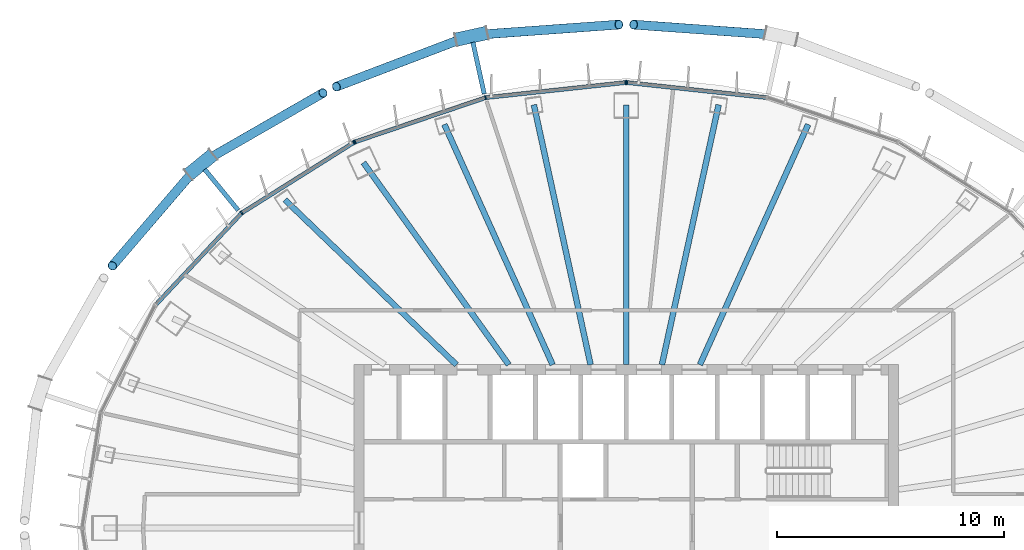
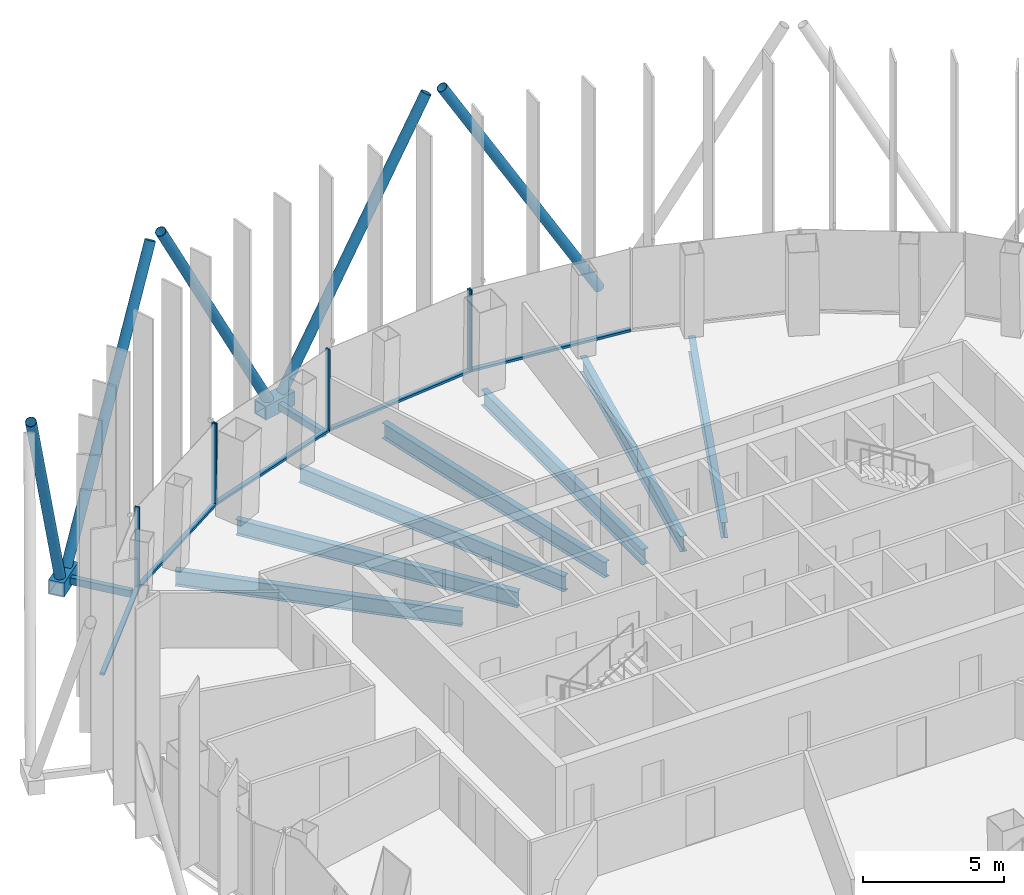
# One storey, part 6 of 18: 20 members, 7 beams, 3 elements without a shape of their own.
"""IFC4 building model written with IfcOpenShell, lengths in metres."""

import ifcopenshell
import ifcopenshell.guid

model = None  # the IFC model being written
_history = None  # IfcOwnerHistory: only IFC2X3 demands one
_inside = {}  # id of a spatial element -> (the spatial element, [elements in it])
_under = {}  # id of a project, library or spatial element -> (it, [spatial elements below it])
_declared = {}  # id of a project -> (the project, [libraries it declares])
_typed = {}  # id of a type object -> (the type object, [elements of that type])
_made_of = {}  # id of a material, layer set ... -> (it, [elements and type objects made of it])


def new_model(schema):
    """Start an empty IFC model of exactly this schema.

    Asked for "IFC4X3", IfcOpenShell would pick the latest addendum, in which some entities
    have other attributes; the version numbers below select the first issue.
    IFC2X3 requires an IfcOwnerHistory on every rooted entity: one is made here for all.
    """
    global model, _history
    if schema == "IFC4X3":
        model = ifcopenshell.file(schema_version=(4, 3, 0, 0))
    else:
        model = ifcopenshell.file(schema=schema)
    _inside.clear()
    _under.clear()
    _declared.clear()
    _typed.clear()
    _made_of.clear()
    _history = None
    if model.schema == "IFC2X3":
        org = make("IfcOrganization", Name="unknown")
        user = make(
            "IfcPersonAndOrganization",
            ThePerson=make("IfcPerson", FamilyName="unknown"),
            TheOrganization=org,
        )
        app = make(
            "IfcApplication",
            ApplicationDeveloper=org,
            Version="unknown",
            ApplicationFullName="unknown",
            ApplicationIdentifier="unknown",
        )
        _history = make(
            "IfcOwnerHistory",
            OwningUser=user,
            OwningApplication=app,
            ChangeAction="ADDED",
            CreationDate=0,
        )
    return model


def make(cls, **values):
    """One entity of the class cls with the attributes given. An attribute that is None is left unset."""
    return model.create_entity(
        cls, **{name: value for name, value in values.items() if value is not None}
    )


def rooted(cls, **values):
    """An entity with a GlobalId (a new one), such as an element, a storey or a relation."""
    return make(cls, GlobalId=ifcopenshell.guid.new(), OwnerHistory=_history, **values)


def si_unit(unit_type, name, prefix=None):
    """IfcSIUnit, for example si_unit("LENGTHUNIT", "METRE", prefix="MILLI")."""
    return make("IfcSIUnit", UnitType=unit_type, Prefix=prefix, Name=name)


def assignment(units):
    """IfcUnitAssignment: the units of a project."""
    return None if units is None else make("IfcUnitAssignment", Units=units)


def point(xyz):
    """IfcCartesianPoint."""
    return None if xyz is None else make("IfcCartesianPoint", Coordinates=xyz)


def direction(xyz):
    """IfcDirection."""
    return None if xyz is None else make("IfcDirection", DirectionRatios=xyz)


def frame(location, z_axis=None, x_axis=None):
    """IfcAxis2Placement3D, a coordinate frame: its origin and axes. An axis left out is left unset."""
    return make(
        "IfcAxis2Placement3D",
        Location=point(location),
        Axis=direction(z_axis),
        RefDirection=direction(x_axis),
    )


def frame_2d(location, x_axis=None):
    """IfcAxis2Placement2D, a coordinate frame in the plane: its origin and x axis."""
    return make(
        "IfcAxis2Placement2D", Location=point(location), RefDirection=direction(x_axis)
    )


def origin():
    """The frame at (0, 0, 0) with its axes left unset."""
    return frame((0.0, 0.0, 0.0))


def origin_2d():
    """The frame at (0, 0) in the plane with its x axis left unset."""
    return frame_2d((0.0, 0.0))


def place(relative_to, where):
    """IfcLocalPlacement: puts the frame where relative to a parent placement (None: the world)."""
    return make(
        "IfcLocalPlacement", PlacementRelTo=relative_to, RelativePlacement=where
    )


def context(
    kind, dimensions, precision=None, world=None, true_north=None, identifier=None
):
    """IfcGeometricRepresentationContext, for example the 3D "Model" context."""
    return make(
        "IfcGeometricRepresentationContext",
        ContextIdentifier=identifier,
        ContextType=kind,
        CoordinateSpaceDimension=dimensions,
        Precision=precision,
        WorldCoordinateSystem=world,
        TrueNorth=true_north,
    )


def subcontext(parent, identifier, kind, view, scale=None):
    """IfcGeometricRepresentationSubContext, for example "Body" below "Model"."""
    return make(
        "IfcGeometricRepresentationSubContext",
        ContextIdentifier=identifier,
        ContextType=kind,
        ParentContext=parent,
        TargetScale=scale,
        TargetView=view,
    )


def project(units=None, contexts=None):
    """IfcProject with its units and contexts."""
    return rooted(
        "IfcProject",
        Name="project",
        RepresentationContexts=contexts,
        UnitsInContext=assignment(units),
    )


def spatial(cls, under=None, at=None, **own):
    """A site, building, storey or space (cls), placed at a placement, below another one or the project."""
    s = rooted(cls, ObjectPlacement=at, **own)
    if under is not None:
        _under.setdefault(under.id(), (under, []))[1].append(s)
    return s


def profile(cls, at=None, kind="AREA", **sizes):
    """A parametric profile (cls). Its sizes go by their IFC names, for example OverallWidth=200.0."""
    return make(cls, ProfileType=kind, Position=at, **sizes)


def rectangle(**sizes):
    """IfcRectangleProfileDef."""
    return profile("IfcRectangleProfileDef", **sizes)


def hollow_rectangle(**sizes):
    """IfcRectangleHollowProfileDef."""
    return profile("IfcRectangleHollowProfileDef", **sizes)


def hollow_circle(**sizes):
    """IfcCircleHollowProfileDef."""
    return profile("IfcCircleHollowProfileDef", **sizes)


def i_section(**sizes):
    """IfcIShapeProfileDef."""
    return profile("IfcIShapeProfileDef", **sizes)


def extrude(swept, where, along, depth):
    """IfcExtrudedAreaSolid: the profile swept, set in the frame where, extruded along a direction by depth."""
    return make(
        "IfcExtrudedAreaSolid",
        SweptArea=swept,
        Position=where,
        ExtrudedDirection=direction(along),
        Depth=depth,
    )


def shape(context_of_items, identifier, shape_type, items):
    """IfcShapeRepresentation: the items that make up one representation, for example the "Body"."""
    return make(
        "IfcShapeRepresentation",
        ContextOfItems=context_of_items,
        RepresentationIdentifier=identifier,
        RepresentationType=shape_type,
        Items=items,
    )


def material(Name=None, Category=None):
    """IfcMaterial."""
    return make("IfcMaterial", Name=Name, Category=Category)


def layer(
    of_material, thickness, ventilated=None, Name=None, Category=None, Priority=None
):
    """IfcMaterialLayer: one layer of a wall or slab, of a material (None: an air gap)."""
    return make(
        "IfcMaterialLayer",
        Material=of_material,
        LayerThickness=thickness,
        IsVentilated=ventilated,
        Name=Name,
        Category=Category,
        Priority=Priority,
    )


def layer_set(layers, Name=None):
    """IfcMaterialLayerSet."""
    return make("IfcMaterialLayerSet", MaterialLayers=layers, LayerSetName=Name)


def material_profile(
    of_material, cross_section, Name=None, Category=None, Priority=None
):
    """IfcMaterialProfile: a cross section and its material."""
    return make(
        "IfcMaterialProfile",
        Name=Name,
        Material=of_material,
        Profile=cross_section,
        Priority=Priority,
        Category=Category,
    )


def profile_set(profiles, Name=None, composite=None):
    """IfcMaterialProfileSet."""
    return make(
        "IfcMaterialProfileSet",
        Name=Name,
        MaterialProfiles=profiles,
        CompositeProfile=composite,
    )


def made_of(thing, what):
    """Note that an element or type object is made of a material, layer set ...; save() writes the relation."""
    if what is not None:
        _made_of.setdefault(what.id(), (what, []))[1].append(thing)
    return thing


def type_object(cls, material=None, **own):
    """A type object (cls), such as IfcWallType, which elements share."""
    return made_of(rooted(cls, **own), material)


def element(
    cls,
    number,
    at=None,
    inside=None,
    cuts=None,
    type_object=None,
    material=None,
    context=None,
    identifier="Body",
    shape_type=None,
    held_by="IfcProductDefinitionShape",
    body=None,
    shapes=None,
    **own,
):
    """One element of the class cls, such as IfcWall. Its Tag is "e" and its number.

    at: its placement. inside: the storey or other place that contains it. cuts: it is an
    opening in that element (IfcRelVoidsElement). A single representation is given by context,
    identifier, shape_type and body (its items); several are given by shapes. held_by: the class
    of the entity that holds the representations. save() writes the other relations.
    """
    e = rooted(cls, Tag="e%d" % number, ObjectPlacement=at, **own)
    if body is not None:
        shapes = [shape(context, identifier, shape_type, body)]
    if shapes is not None:
        e.Representation = make(held_by, Representations=shapes)
    if inside is not None:
        _inside.setdefault(inside.id(), (inside, []))[1].append(e)
    if cuts is not None:
        rooted(
            "IfcRelVoidsElement", RelatingBuildingElement=cuts, RelatedOpeningElement=e
        )
    if type_object is not None:
        _typed.setdefault(type_object.id(), (type_object, []))[1].append(e)
    return made_of(e, material)


def aggregate(whole, parts):
    """IfcRelAggregates: a whole, such as a stair, and the parts it consists of."""
    return rooted("IfcRelAggregates", RelatingObject=whole, RelatedObjects=parts)


def save(model, path):
    """Write the relations noted so far, then the file.

    IfcRelAggregates (storeys below a building ...), IfcRelContainedInSpatialStructure (elements
    in a storey), IfcRelDefinesByType, IfcRelAssociatesMaterial and IfcRelDeclares: one each for
    every whole, place, type object, material and project.
    """
    for whole, parts in _under.values():
        aggregate(whole, parts)
    for where, things in _inside.values():
        rooted(
            "IfcRelContainedInSpatialStructure",
            RelatedElements=things,
            RelatingStructure=where,
        )
    for kind, things in _typed.values():
        rooted("IfcRelDefinesByType", RelatedObjects=things, RelatingType=kind)
    for what, things in _made_of.values():
        rooted("IfcRelAssociatesMaterial", RelatedObjects=things, RelatingMaterial=what)
    for by, libraries in _declared.values():
        rooted("IfcRelDeclares", RelatingContext=by, RelatedDefinitions=libraries)
    model.write(path)


model = new_model("IFC4")

# Units and contexts
model_context = context("Model", 3, precision=1e-05, world=origin(), true_north=direction((0.0, 1.0)))
body_context = subcontext(model_context, "Body", "Model", "MODEL_VIEW")
ifc_project = project(units=[si_unit("LENGTHUNIT", "METRE"), si_unit("AREAUNIT", "SQUARE_METRE"), si_unit("VOLUMEUNIT", "CUBIC_METRE"), si_unit("PLANEANGLEUNIT", "RADIAN"), si_unit("MASSUNIT", "GRAM", prefix="KILO")], contexts=[model_context])

# Site, building, storey
site_placement = place(None, origin())
site = spatial("IfcSite", under=ifc_project, at=site_placement, CompositionType="ELEMENT")
building_placement = place(site_placement, origin())
building = spatial("IfcBuilding", under=site, at=building_placement, Name="Siaravel Broadcast Tower", CompositionType="ELEMENT")
storey_placement = place(building_placement, frame((0.0, 0.0, 157.10009765625)))
storey = spatial("IfcBuildingStorey", under=building, at=storey_placement, Name="L37", CompositionType="ELEMENT", Elevation=157.10009765625)

# Beams
ifc_material_1 = material(Name="Steel S355", Category="steel")
ifc_material_profile_1 = material_profile(ifc_material_1, i_section(OverallWidth=0.2529296875, OverallDepth=0.677978515625, WebThickness=0.01171875, FlangeThickness=0.01611328125, FilletRadius=0.01513671875, at=origin_2d()))
ifc_profile_set_1 = profile_set([ifc_material_profile_1], Name="Steel S355")
beam_type = type_object("IfcBeamType", Name="BM-UB 686x254x125", PredefinedType="BEAM", material=ifc_profile_set_1)
beam_1_placement = place(storey_placement, frame((8.015869140625, 17.787109375, -0.489013671875), z_axis=(-0.410867262, -0.911695176, 0.0), x_axis=(0.911695176, -0.410867262, 0.0)))
element("IfcBeam", 1, at=beam_1_placement, inside=storey, type_object=beam_type, Name="Radial beam RB08", PredefinedType="BEAM", context=body_context, shape_type="SweptSolid", body=[
    extrude(i_section(OverallWidth=0.2529296875, OverallDepth=0.677978515625, WebThickness=0.01171875, FlangeThickness=0.01611328125, FilletRadius=0.01513671875, at=origin_2d()), origin(), (0.0, 0.0, 1.0), 11.612548828125),
])
beam_2_placement = place(storey_placement, frame((4.0712890625, 18.65283203125, -0.489013671875), z_axis=(-0.213244065, -0.97699896, 0.0), x_axis=(0.97699896, -0.213244065, 0.0)))
element("IfcBeam", 2, at=beam_2_placement, inside=storey, type_object=beam_type, Name="Radial beam RB09", PredefinedType="BEAM", context=body_context, shape_type="SweptSolid", body=[
    extrude(i_section(OverallWidth=0.2529296875, OverallDepth=0.677978515625, WebThickness=0.01171875, FlangeThickness=0.01611328125, FilletRadius=0.01513671875, at=origin_2d()), origin(), (0.0, 0.0, 1.0), 11.722412109375),
])
beam_3_placement = place(storey_placement, frame((0.0, 18.64453125, -0.489013671875), z_axis=(0.0, -1.0, 0.0), x_axis=(1.0, 0.0, 0.0)))
element("IfcBeam", 3, at=beam_3_placement, inside=storey, type_object=beam_type, Name="Radial beam RB10", PredefinedType="BEAM", context=body_context, shape_type="SweptSolid", body=[
    extrude(i_section(OverallWidth=0.2529296875, OverallDepth=0.677978515625, WebThickness=0.01171875, FlangeThickness=0.01611328125, FilletRadius=0.01513671875, at=origin_2d()), origin(), (0.0, 0.0, 1.0), 11.444580078125),
])
beam_4_placement = place(storey_placement, frame((-4.0712890625, 18.65283203125, -0.489013671875), z_axis=(0.213244065, -0.97699896, 0.0), x_axis=(0.97699896, 0.213244065, 0.0)))
element("IfcBeam", 4, at=beam_4_placement, inside=storey, type_object=beam_type, Name="Radial beam RB11", PredefinedType="BEAM", context=body_context, shape_type="SweptSolid", body=[
    extrude(i_section(OverallWidth=0.2529296875, OverallDepth=0.677978515625, WebThickness=0.01171875, FlangeThickness=0.01611328125, FilletRadius=0.01513671875, at=origin_2d()), origin(), (0.0, 0.0, 1.0), 11.722412109375),
])
beam_5_placement = place(storey_placement, frame((-8.015869140625, 17.787109375, -0.489013671875), z_axis=(0.410867262, -0.911695176, 0.0), x_axis=(0.911695176, 0.410867262, 0.0)))
element("IfcBeam", 5, at=beam_5_placement, inside=storey, type_object=beam_type, Name="Radial beam RB12", PredefinedType="BEAM", context=body_context, shape_type="SweptSolid", body=[
    extrude(i_section(OverallWidth=0.2529296875, OverallDepth=0.677978515625, WebThickness=0.01171875, FlangeThickness=0.01611328125, FilletRadius=0.01513671875, at=origin_2d()), origin(), (0.0, 0.0, 1.0), 11.612548828125),
])
beam_6_placement = place(storey_placement, frame((-11.582275390625, 16.10498046875, -0.489013671875), z_axis=(0.58386488, -0.81185085, 0.0), x_axis=(0.81185085, 0.58386488, 0.0)))
element("IfcBeam", 6, at=beam_6_placement, inside=storey, type_object=beam_type, Name="Radial beam RB13", PredefinedType="BEAM", context=body_context, shape_type="SweptSolid", body=[
    extrude(i_section(OverallWidth=0.2529296875, OverallDepth=0.677978515625, WebThickness=0.01171875, FlangeThickness=0.01611328125, FilletRadius=0.01513671875, at=origin_2d()), origin(), (0.0, 0.0, 1.0), 10.96875),
])
beam_7_placement = place(storey_placement, frame((-15.041259765625, 14.466064453125, -0.489013671875), z_axis=(0.720749365, -0.693195754, 0.0), x_axis=(0.693195754, 0.720749365, 0.0)))
element("IfcBeam", 7, at=beam_7_placement, inside=storey, type_object=beam_type, Name="Radial beam RB14", PredefinedType="BEAM", context=body_context, shape_type="SweptSolid", body=[
    extrude(i_section(OverallWidth=0.2529296875, OverallDepth=0.677978515625, WebThickness=0.01171875, FlangeThickness=0.01611328125, FilletRadius=0.01513671875, at=origin_2d()), origin(), (0.0, 0.0, 1.0), 10.48193359375),
])

# Curtain wall, member
ifc_material_2 = material(Name="Aluminium 6063-T6", Category="aluminium")
ifc_layer = layer(ifc_material_2, 0.179931640625)
ifc_layer_set = layer_set([ifc_layer], Name="Aluminium 6063-T6")
curtain_wall_type = type_object("IfcCurtainWallType", Name="Unitised curtain wall, zone 3", PredefinedType="NOTDEFINED", material=ifc_layer_set)
curtain_wall_1_placement = place(storey_placement, origin())
curtain_wall_1 = element("IfcCurtainWall", 8, at=curtain_wall_1_placement, inside=storey, type_object=curtain_wall_type, Name="L37 Unitised curtain wall, zone 3 03", PredefinedType="NOTDEFINED")
ifc_material_profile_2 = material_profile(ifc_material_2, rectangle(XDim=0.179931640625, YDim=0.06005859375, at=origin_2d()))
ifc_profile_set_2 = profile_set([ifc_material_profile_2], Name="Aluminium 6063-T6")
member_type_1 = type_object("IfcMemberType", Name="CW-Z3 mullion", PredefinedType="MULLION", material=ifc_profile_set_2)
member_1_placement = place(storey_placement, frame((0.02978515625, 19.634033203125, 0.0), z_axis=(0.0, 0.0, 1.0), x_axis=(-0.107217776, -0.99423556, 0.0)))
member_1 = element("IfcMember", 9, at=member_1_placement, type_object=member_type_1, Name="CW-Z3 mullion 3", PredefinedType="MULLION", context=body_context, shape_type="SweptSolid", body=[
    extrude(rectangle(XDim=0.179931640625, YDim=0.06005859375, at=origin_2d()), origin(), (0.0, 0.0, 1.0), 3.5498046875),
])

# Curtain wall, members
curtain_wall_2_placement = place(storey_placement, origin())
curtain_wall_2 = element("IfcCurtainWall", 10, at=curtain_wall_2_placement, inside=storey, type_object=curtain_wall_type, Name="L37 Unitised curtain wall, zone 3 04", PredefinedType="NOTDEFINED")
member_2_placement = place(storey_placement, frame((-0.02978515625, 19.634033203125, 0.0), z_axis=(0.0, 0.0, 1.0), x_axis=(0.107217776, -0.99423556, 0.0)))
member_2 = element("IfcMember", 11, at=member_2_placement, type_object=member_type_1, Name="CW-Z3 mullion 1", PredefinedType="MULLION", context=body_context, shape_type="SweptSolid", body=[
    extrude(rectangle(XDim=0.179931640625, YDim=0.06005859375, at=origin_2d()), origin(), (0.0, 0.0, 1.0), 3.5498046875),
])
member_3_placement = place(storey_placement, frame((-6.19970703125, 18.96875, 0.0), z_axis=(0.0, 0.0, 1.0), x_axis=(0.215558612, -0.976490903, 0.0)))
member_3 = element("IfcMember", 12, at=member_3_placement, type_object=member_type_1, Name="CW-Z3 mullion 2", PredefinedType="MULLION", context=body_context, shape_type="SweptSolid", body=[
    extrude(rectangle(XDim=0.179931640625, YDim=0.06005859375, at=origin_2d()), origin(), (0.0, 0.0, 1.0), 3.5498046875),
])
member_4_placement = place(storey_placement, frame((-11.949462890625, 17.017822265625, 0.0), z_axis=(0.0, 0.0, 1.0), x_axis=(0.321301405, -0.946976983, 0.0)))
member_4 = element("IfcMember", 13, at=member_4_placement, type_object=member_type_1, Name="CW-Z3 mullion 3", PredefinedType="MULLION", context=body_context, shape_type="SweptSolid", body=[
    extrude(rectangle(XDim=0.179931640625, YDim=0.06005859375, at=origin_2d()), origin(), (0.0, 0.0, 1.0), 3.5498046875),
])

curtain_wall_3_placement = place(storey_placement, origin())
curtain_wall_3 = element("IfcCurtainWall", 14, at=curtain_wall_3_placement, inside=storey, type_object=curtain_wall_type, Name="L37 Unitised curtain wall, zone 3 05", PredefinedType="NOTDEFINED")
member_5_placement = place(storey_placement, frame((-12.003173828125, 16.9921875, 0.0), z_axis=(0.0, 0.0, 1.0), x_axis=(0.532150259, -0.846649928, 0.0)))
member_5 = element("IfcMember", 15, at=member_5_placement, type_object=member_type_1, Name="CW-Z3 mullion 1", PredefinedType="MULLION", context=body_context, shape_type="SweptSolid", body=[
    extrude(rectangle(XDim=0.179931640625, YDim=0.06005859375, at=origin_2d()), origin(), (0.0, 0.0, 1.0), 3.5498046875),
])
member_6_placement = place(storey_placement, frame((-16.940673828125, 13.888916015625, 0.0), z_axis=(0.0, 0.0, 1.0), x_axis=(0.63621963, -0.771507993, 0.0)))
member_6 = element("IfcMember", 16, at=member_6_placement, type_object=member_type_1, Name="CW-Z3 mullion 2", PredefinedType="MULLION", context=body_context, shape_type="SweptSolid", body=[
    extrude(rectangle(XDim=0.179931640625, YDim=0.06005859375, at=origin_2d()), origin(), (0.0, 0.0, 1.0), 3.5498046875),
])

# Member
ifc_material_profile_3 = material_profile(ifc_material_2, rectangle(XDim=0.179931640625, YDim=0.10009765625, at=origin_2d()))
ifc_profile_set_3 = profile_set([ifc_material_profile_3], Name="Aluminium 6063-T6")
member_type_2 = type_object("IfcMemberType", Name="CW-Z3 transom", PredefinedType="USERDEFINED", material=ifc_profile_set_3)
member_7_placement = place(storey_placement, frame((6.169921875, 18.971923828125, 0.0498046875), z_axis=(-0.994235123, 0.107221824, 0.0), x_axis=(-0.107221824, -0.994235123, 0.0)))
member_7 = element("IfcMember", 17, at=member_7_placement, type_object=member_type_2, Name="CW-Z3 transom 2", ObjectType="TRANSOM", PredefinedType="USERDEFINED", context=body_context, shape_type="SweptSolid", body=[
    extrude(rectangle(XDim=0.179931640625, YDim=0.10009765625, at=origin_2d()), origin(), (0.0, 0.0, 1.0), 6.1455078125),
])

aggregate(curtain_wall_1, [member_1, member_7])

member_8_placement = place(storey_placement, frame((-0.059814453125, 19.630859375, 0.0498046875), z_axis=(-0.994235123, -0.107221824, 0.0), x_axis=(0.107221824, -0.994235123, 0.0)))
member_8 = element("IfcMember", 18, at=member_8_placement, type_object=member_type_2, Name="CW-Z3 transom 1", ObjectType="TRANSOM", PredefinedType="USERDEFINED", context=body_context, shape_type="SweptSolid", body=[
    extrude(rectangle(XDim=0.179931640625, YDim=0.10009765625, at=origin_2d()), origin(), (0.0, 0.0, 1.0), 6.1455078125),
])

member_9_placement = place(storey_placement, frame((-6.228271484375, 18.958984375, 0.0498046875), z_axis=(-0.946980245, -0.321291792, 0.0), x_axis=(0.321291792, -0.946980245, 0.0)))
member_9 = element("IfcMember", 19, at=member_9_placement, type_object=member_type_2, Name="CW-Z3 transom 2", ObjectType="TRANSOM", PredefinedType="USERDEFINED", context=body_context, shape_type="SweptSolid", body=[
    extrude(rectangle(XDim=0.179931640625, YDim=0.10009765625, at=origin_2d()), origin(), (0.0, 0.0, 1.0), 6.01123046875),
])

aggregate(curtain_wall_2, [member_2, member_3, member_4, member_8, member_9])

member_10_placement = place(storey_placement, frame((-12.028564453125, 16.976318359375, 0.0498046875), z_axis=(-0.846664863, -0.532126498, 0.0), x_axis=(0.532126498, -0.846664863, 0.0)))
member_10 = element("IfcMember", 20, at=member_10_placement, type_object=member_type_2, Name="CW-Z3 transom 1", ObjectType="TRANSOM", PredefinedType="USERDEFINED", context=body_context, shape_type="SweptSolid", body=[
    extrude(rectangle(XDim=0.179931640625, YDim=0.10009765625, at=origin_2d()), origin(), (0.0, 0.0, 1.0), 5.771728515625),
])

member_11_placement = place(storey_placement, frame((-16.961181640625, 13.8671875, 0.0498046875), z_axis=(-0.68363887, -0.729820454, 0.0), x_axis=(0.729820454, -0.68363887, 0.0)))
member_11 = element("IfcMember", 21, at=member_11_placement, type_object=member_type_2, Name="CW-Z3 transom 2", ObjectType="TRANSOM", PredefinedType="USERDEFINED", context=body_context, shape_type="SweptSolid", body=[
    extrude(rectangle(XDim=0.179931640625, YDim=0.10009765625, at=origin_2d()), origin(), (0.0, 0.0, 1.0), 5.482177734375),
])

aggregate(curtain_wall_3, [member_5, member_6, member_10, member_11])

# Members
ifc_material_3 = material(Name="Steel S460", Category="steel")
ifc_material_profile_4 = material_profile(ifc_material_3, hollow_circle(Radius=0.203125, WallThickness=0.01611328125, at=origin_2d()))
ifc_profile_set_4 = profile_set([ifc_material_profile_4], Name="Steel S460")
member_type_3 = type_object("IfcMemberType", Name="Diagrid diagonal CHS 406.4x16", PredefinedType="BRACE", material=ifc_profile_set_4)
for number, where, z_axis, x_axis, name in (
    (22, (6.50048828125, 21.742431640625, 0.06982421875), (-0.504572058, 0.036335729, 0.862604633), (-0.071826962, -0.997417108, 0.0), "Diagrid diagonal R16 station 15A"),
    (23, (-6.50048828125, 21.742431640625, 0.06982421875), (0.504572058, 0.036335729, 0.862604633), (-0.071826962, 0.997417108, 0.0), "Diagrid diagonal R16 station 21C"),
):
    element("IfcMember", number, at=place(storey_placement, frame(where, z_axis=z_axis, x_axis=x_axis)), inside=storey, type_object=member_type_3, Name=name, PredefinedType="BRACE", context=body_context, shape_type="SweptSolid", body=[
        extrude(hollow_circle(Radius=0.203125, WallThickness=0.01611328125, at=origin_2d()), origin(), (0.0, 0.0, 1.0), 12.241943359375),
    ])
member_12_placement = place(storey_placement, frame((-7.13232421875, 21.603515625, 0.06982421875), z_axis=(-0.463875275, -0.176868253, 0.868065291), x_axis=(0.35626596, -0.934384592, 0.0)))
element("IfcMember", 24, at=member_12_placement, inside=storey, type_object=member_type_3, Name="Diagrid diagonal R16 station 21A", PredefinedType="BRACE", context=body_context, shape_type="SweptSolid", body=[
    extrude(hollow_circle(Radius=0.203125, WallThickness=0.01611328125, at=origin_2d()), origin(), (0.0, 0.0, 1.0), 12.1650390625),
])
member_13_placement = place(storey_placement, frame((-18.4970703125, 16.222900390625, 0.06982421875), z_axis=(0.424221935, 0.2438268, 0.87211481), x_axis=(-0.498316276, 0.866995323, 0.0)))
element("IfcMember", 25, at=member_13_placement, inside=storey, type_object=member_type_3, Name="Diagrid diagonal R16 station 27C", PredefinedType="BRACE", context=body_context, shape_type="SweptSolid", body=[
    extrude(hollow_circle(Radius=0.203125, WallThickness=0.01611328125, at=origin_2d()), origin(), (0.0, 0.0, 1.0), 12.108642578125),
])
member_14_placement = place(storey_placement, frame((-18.997802734375, 15.81298828125, 0.06982421875), z_axis=(-0.305263553, -0.356045523, 0.883201987), x_axis=(0.759170544, -0.650891761, 0.0)))
element("IfcMember", 26, at=member_14_placement, inside=storey, type_object=member_type_3, Name="Diagrid diagonal R16 station 27A", PredefinedType="BRACE", context=body_context, shape_type="SweptSolid", body=[
    extrude(hollow_circle(Radius=0.203125, WallThickness=0.01611328125, at=origin_2d()), origin(), (0.0, 0.0, 1.0), 11.95654296875),
])
ifc_material_profile_5 = material_profile(ifc_material_3, hollow_rectangle(XDim=0.60009765625, YDim=0.60009765625, WallThickness=0.0400390625, at=origin_2d()))
ifc_profile_set_5 = profile_set([ifc_material_profile_5], Name="Steel S460")
member_type_4 = type_object("IfcMemberType", Name="Diagrid node BOX 600x600x40", PredefinedType="USERDEFINED", material=ifc_profile_set_5)
for number, where, z_axis, x_axis, name in (
    (27, (-6.1328125, 21.822998046875, -0.2001953125), (-0.976754142, -0.21436265, 0.0), (0.21436265, -0.976754142, 0.0), "Diagrid node R16 station 21"),
    (28, (-18.2060546875, 16.46142578125, -0.2001953125), (-0.773584133, -0.633693609, 0.0), (0.633693609, -0.773584133, 0.0), "Diagrid node R16 station 27"),
):
    element("IfcMember", number, at=place(storey_placement, frame(where, z_axis=z_axis, x_axis=x_axis)), inside=storey, type_object=member_type_4, Name=name, ObjectType="DIAGRID NODE", PredefinedType="USERDEFINED", context=body_context, shape_type="SweptSolid", body=[
        extrude(hollow_rectangle(XDim=0.60009765625, YDim=0.60009765625, WallThickness=0.0400390625, at=origin_2d()), origin(), (0.0, 0.0, 1.0), 1.399658203125),
    ])
ifc_material_profile_6 = material_profile(ifc_material_3, hollow_rectangle(XDim=0.199951171875, YDim=0.300048828125, WallThickness=0.012451171875, at=origin_2d()))
ifc_profile_set_6 = profile_set([ifc_material_profile_6], Name="Steel S460")
member_type_5 = type_object("IfcMemberType", Name="Diagrid node arm RHS 300x200x12.5", PredefinedType="STRUT", material=ifc_profile_set_6)
for number, where, z_axis, x_axis, name in (
    (29, (-6.259033203125, 19.13330078125, -0.2001953125), (-0.214378037, 0.976750765, 0.0), (-0.976750765, -0.214378037, 0.0), "Node arm R16 station 21"),
    (30, (-17.099853515625, 14.006591796875, -0.2001953125), (-0.633699844, 0.773579025, 0.0), (-0.773579025, -0.633699844, 0.0), "Node arm R16 station 27"),
):
    element("IfcMember", number, at=place(storey_placement, frame(where, z_axis=z_axis, x_axis=x_axis)), inside=storey, type_object=member_type_5, Name=name, PredefinedType="STRUT", context=body_context, shape_type="SweptSolid", body=[
        extrude(hollow_rectangle(XDim=0.199951171875, YDim=0.300048828125, WallThickness=0.012451171875, at=origin_2d()), origin(), (0.0, 0.0, 1.0), 2.330078125),
    ])

save(model, "model.ifc")
